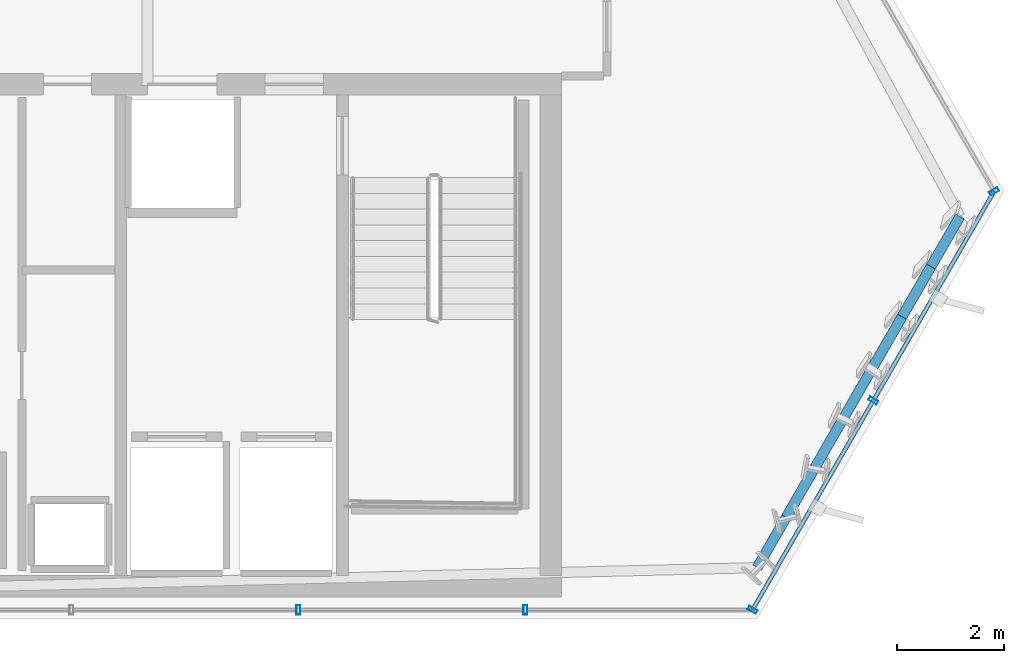
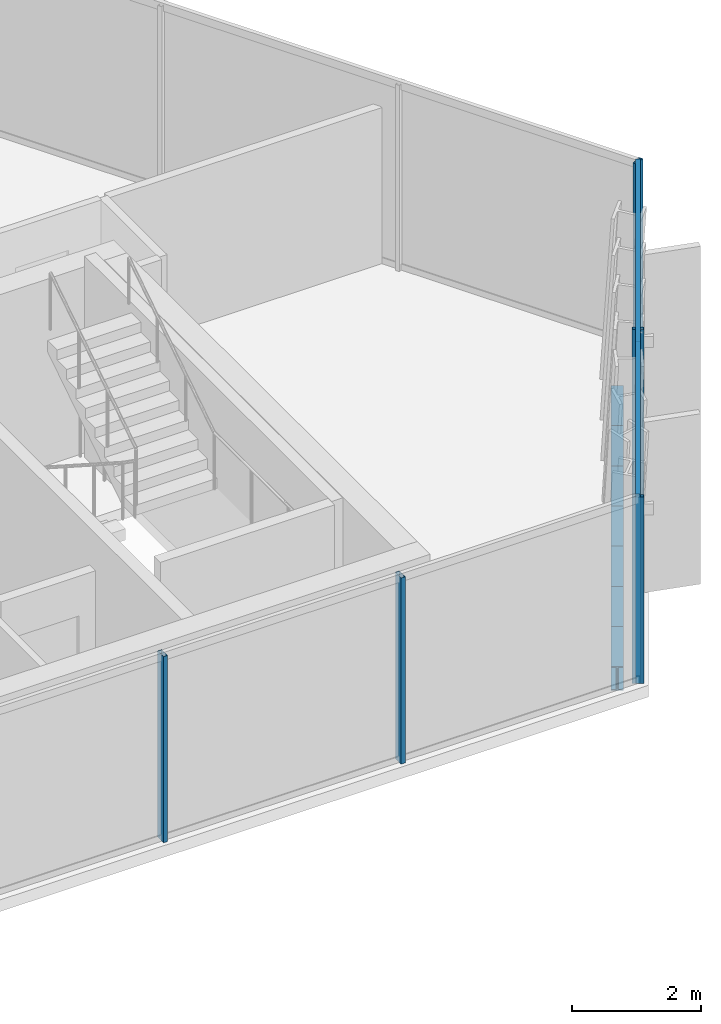
# One storey, part 14 of 34: 7 beams, 7 members, 3 elements without a shape of their own.
"""IFC4 building model written with IfcOpenShell, lengths in metres."""

from ifc_helpers import new_model, si_unit, direction, frame, origin, origin_2d, place, context, subcontext, project, spatial, hollow_rectangle, i_section, extrude, material, layer, layer_set, material_profile, profile_set, type_object, element, aggregate, save


model = new_model("IFC4")

# Units and contexts
model_context = context("Model", 3, precision=1e-05, world=origin(), true_north=direction((0.0, 1.0)))
body_context = subcontext(model_context, "Body", "Model", "MODEL_VIEW")
ifc_project = project(units=[si_unit("LENGTHUNIT", "METRE"), si_unit("AREAUNIT", "SQUARE_METRE"), si_unit("VOLUMEUNIT", "CUBIC_METRE"), si_unit("PLANEANGLEUNIT", "RADIAN"), si_unit("MASSUNIT", "GRAM", prefix="KILO")], contexts=[model_context])

# Site, building, storey
site_placement = place(None, origin())
site = spatial("IfcSite", under=ifc_project, at=site_placement, CompositionType="ELEMENT")
building_placement = place(site_placement, origin())
building = spatial("IfcBuilding", under=site, at=building_placement, Name="Ndaravel Arena Tower", CompositionType="ELEMENT")
storey_placement = place(building_placement, frame((0.0, 0.0, 199.199951171875)))
storey = spatial("IfcBuildingStorey", under=building, at=storey_placement, Name="L48", CompositionType="ELEMENT", Elevation=199.199951171875)

# Beams
ifc_material_1 = material(Name="Steel S355", Category="steel")
ifc_material_profile_1 = material_profile(ifc_material_1, i_section(OverallWidth=0.18994140625, OverallDepth=0.449951171875, WebThickness=0.009521484375, FlangeThickness=0.0146484375, FilletRadius=0.02099609375, at=origin_2d()), Name="IPE 450")
ifc_profile_set_1 = profile_set([ifc_material_profile_1], Name="Steel S355")
beam_type = type_object("IfcBeamType", Name="BM-SPAN-IPE450", PredefinedType="SPANDREL", material=ifc_profile_set_1)
beam_1_placement = place(storey_placement, frame((61.215087890625, 5.94970703125, -0.445068359375), z_axis=(0.499988774596, 0.866031884678, 0.0), x_axis=(-0.866031884678, 0.499988774596, 0.0)))
element("IfcBeam", 1, at=beam_1_placement, inside=storey, type_object=beam_type, Name="L48 Perimeter Spandrel Beam SP-02", PredefinedType="SPANDREL", context=body_context, shape_type="SweptSolid", body=[
    extrude(i_section(OverallWidth=0.18994140625, OverallDepth=0.449951171875, WebThickness=0.009521484375, FlangeThickness=0.0146484375, FilletRadius=0.02099609375, at=origin_2d()), origin(), (0.0, 0.0, 1.0), 1.08447265625),
])
beam_2_placement = place(storey_placement, frame((61.75732421875, 6.888916015625, -0.445068359375), z_axis=(0.50015758769, 0.86593440137, 0.0), x_axis=(-0.86593440137, 0.50015758769, 0.0)))
element("IfcBeam", 2, at=beam_2_placement, inside=storey, type_object=beam_type, Name="L48 Perimeter Spandrel Beam SP-03", PredefinedType="SPANDREL", context=body_context, shape_type="SweptSolid", body=[
    extrude(i_section(OverallWidth=0.18994140625, OverallDepth=0.449951171875, WebThickness=0.009521484375, FlangeThickness=0.0146484375, FilletRadius=0.02099609375, at=origin_2d()), origin(), (0.0, 0.0, 1.0), 1.084716796875),
])
beam_3_placement = place(storey_placement, frame((62.2998046875, 7.828125, -0.445068359375), z_axis=(0.499988774596, 0.866031884678, 0.0), x_axis=(-0.866031884678, 0.499988774596, 0.0)))
element("IfcBeam", 3, at=beam_3_placement, inside=storey, type_object=beam_type, Name="L48 Perimeter Spandrel Beam SP-04", PredefinedType="SPANDREL", context=body_context, shape_type="SweptSolid", body=[
    extrude(i_section(OverallWidth=0.18994140625, OverallDepth=0.449951171875, WebThickness=0.009521484375, FlangeThickness=0.0146484375, FilletRadius=0.02099609375, at=origin_2d()), origin(), (0.0, 0.0, 1.0), 1.08447265625),
])
beam_4_placement = place(storey_placement, frame((62.842041015625, 8.767333984375, -0.445068359375), z_axis=(0.499891312606, 0.866088145388, 0.0), x_axis=(-0.866088145388, 0.499891312606, 0.0)))
element("IfcBeam", 4, at=beam_4_placement, inside=storey, type_object=beam_type, Name="L48 Perimeter Spandrel Beam SP-05", PredefinedType="SPANDREL", context=body_context, shape_type="SweptSolid", body=[
    extrude(i_section(OverallWidth=0.18994140625, OverallDepth=0.449951171875, WebThickness=0.009521484375, FlangeThickness=0.0146484375, FilletRadius=0.02099609375, at=origin_2d()), origin(), (0.0, 0.0, 1.0), 1.084716796875),
])
for number, where, z_axis, x_axis, name in (
    (5, (63.38427734375, 9.706787109375, -0.445068359375), (0.499988774596, 0.866031884678, 0.0), (-0.866031884678, 0.499988774596, 0.0), "L48 Perimeter Spandrel Beam SP-06"),
    (6, (63.926513671875, 10.64599609375, -0.445068359375), (0.499988774596, 0.866031884678, 0.0), (-0.866031884678, 0.499988774596, 0.0), "L48 Perimeter Spandrel Beam SP-07"),
    (7, (64.46875, 11.585205078125, -0.445068359375), (0.499988774596, 0.866031884678, 0.0), (-0.866031884678, 0.499988774596, 0.0), "L48 Perimeter Spandrel Beam SP-08"),
):
    element("IfcBeam", number, at=place(storey_placement, frame(where, z_axis=z_axis, x_axis=x_axis)), inside=storey, type_object=beam_type, Name=name, PredefinedType="SPANDREL", context=body_context, shape_type="SweptSolid", body=[
        extrude(i_section(OverallWidth=0.18994140625, OverallDepth=0.449951171875, WebThickness=0.009521484375, FlangeThickness=0.0146484375, FilletRadius=0.02099609375, at=origin_2d()), origin(), (0.0, 0.0, 1.0), 1.08447265625),
    ])

# Curtain wall, members
ifc_material_2 = material(Name="Aluminium", Category="aluminium")
ifc_layer_1 = layer(ifc_material_2, 0.179931640625)
ifc_layer_set_1 = layer_set([ifc_layer_1], Name="Aluminium")
curtain_wall_type_1 = type_object("IfcCurtainWallType", Name="CW-SYS-03", PredefinedType="NOTDEFINED", material=ifc_layer_set_1)
curtain_wall_1_placement = place(storey_placement, origin())
curtain_wall_1 = element("IfcCurtainWall", 8, at=curtain_wall_1_placement, inside=storey, type_object=curtain_wall_type_1, Name="L48 Faceted Crystal Curtain Wall CW-L48-E01", PredefinedType="NOTDEFINED")
ifc_material_3 = material(Name="Aluminium", Category="aluminium")
ifc_material_profile_2 = material_profile(ifc_material_3, hollow_rectangle(XDim=0.074951171875, YDim=0.179931640625, WallThickness=0.00390625, at=origin_2d()), Name="CW MULLION 75x180x4")
ifc_profile_set_2 = profile_set([ifc_material_profile_2], Name="Aluminium")
member_type_1 = type_object("IfcMemberType", Name="MEM-CW-MUL180", PredefinedType="MULLION", material=ifc_profile_set_2)
member_1_placement = place(storey_placement, frame((52.627197265625, 5.159912109375, 0.0), z_axis=(0.0, 0.0, 1.0), x_axis=(1.0, 0.0, 0.0)))
member_1 = element("IfcMember", 9, at=member_1_placement, type_object=member_type_1, Name="CW-L48-E01 Mullion 07", PredefinedType="MULLION", context=body_context, shape_type="SweptSolid", body=[
    extrude(hollow_rectangle(XDim=0.074951171875, YDim=0.179931640625, WallThickness=0.00390625, at=origin_2d()), origin(), (0.0, 0.0, 1.0), 3.52001953125),
])
member_2_placement = place(storey_placement, frame((56.8779296875, 5.159912109375, 0.0), z_axis=(0.0, 0.0, 1.0), x_axis=(1.0, 0.0, 0.0)))
member_2 = element("IfcMember", 10, at=member_2_placement, type_object=member_type_1, Name="CW-L48-E01 Mullion 08", PredefinedType="MULLION", context=body_context, shape_type="SweptSolid", body=[
    extrude(hollow_rectangle(XDim=0.074951171875, YDim=0.179931640625, WallThickness=0.00390625, at=origin_2d()), origin(), (0.0, 0.0, 1.0), 3.52001953125),
])
aggregate(curtain_wall_1, [member_1, member_2])

ifc_material_4 = material(Name="Aluminium", Category="aluminium")
ifc_layer_2 = layer(ifc_material_4, 0.179931640625)
ifc_layer_set_2 = layer_set([ifc_layer_2], Name="Aluminium")
curtain_wall_type_2 = type_object("IfcCurtainWallType", Name="CW-SYS-01", PredefinedType="NOTDEFINED", material=ifc_layer_set_2)
curtain_wall_2_placement = place(storey_placement, origin())
curtain_wall_2 = element("IfcCurtainWall", 11, at=curtain_wall_2_placement, inside=storey, type_object=curtain_wall_type_2, Name="L48 Faceted Crystal Curtain Wall CW-L48-E02", PredefinedType="NOTDEFINED")
member_3_placement = place(storey_placement, frame((61.128662109375, 5.159912109375, 0.0), z_axis=(0.0, 0.0, 1.0), x_axis=(0.5, 0.866025403784, 0.0)))
member_3 = element("IfcMember", 12, at=member_3_placement, type_object=member_type_1, Name="CW-L48-E02 Mullion 00", PredefinedType="MULLION", context=body_context, shape_type="SweptSolid", body=[
    extrude(hollow_rectangle(XDim=0.074951171875, YDim=0.179931640625, WallThickness=0.00390625, at=origin_2d()), origin(), (0.0, 0.0, 1.0), 3.52001953125),
])
member_4_placement = place(storey_placement, frame((63.39013671875, 9.076904296875, 0.0), z_axis=(0.0, 0.0, 1.0), x_axis=(0.5, 0.866025403784, 0.0)))
member_4 = element("IfcMember", 13, at=member_4_placement, type_object=member_type_1, Name="CW-L48-E02 Mullion 01", PredefinedType="MULLION", context=body_context, shape_type="SweptSolid", body=[
    extrude(hollow_rectangle(XDim=0.074951171875, YDim=0.179931640625, WallThickness=0.00390625, at=origin_2d()), origin(), (0.0, 0.0, 1.0), 3.52001953125),
])

# Curtain wall, member
curtain_wall_3_placement = place(storey_placement, origin())
curtain_wall_3 = element("IfcCurtainWall", 14, at=curtain_wall_3_placement, inside=storey, type_object=curtain_wall_type_1, Name="L48 Faceted Crystal Curtain Wall CW-L48-E03", PredefinedType="NOTDEFINED")
member_5_placement = place(storey_placement, frame((65.651611328125, 12.994140625, 0.0), z_axis=(0.0, 0.0, 1.0), x_axis=(-0.5, 0.866025403784, 0.0)))
member_5 = element("IfcMember", 15, at=member_5_placement, type_object=member_type_1, Name="CW-L48-E03 Mullion 00", PredefinedType="MULLION", context=body_context, shape_type="SweptSolid", body=[
    extrude(hollow_rectangle(XDim=0.074951171875, YDim=0.179931640625, WallThickness=0.00390625, at=origin_2d()), origin(), (0.0, 0.0, 1.0), 3.52001953125),
])
aggregate(curtain_wall_3, [member_5])

# Member
ifc_material_5 = material(Name="Aluminium", Category="aluminium")
ifc_material_profile_3 = material_profile(ifc_material_5, hollow_rectangle(XDim=0.074951171875, YDim=0.14990234375, WallThickness=0.00390625, at=origin_2d()), Name="CW TRANSOM 75x150x4")
ifc_profile_set_3 = profile_set([ifc_material_profile_3], Name="Aluminium")
member_type_2 = type_object("IfcMemberType", Name="MEM-CW-TRN150", PredefinedType="USERDEFINED", material=ifc_profile_set_3)
member_6_placement = place(storey_placement, frame((61.128662109375, 5.159912109375, 0.0400390625), z_axis=(0.49998800113, 0.866032331224, 0.0), x_axis=(-0.866032331224, 0.49998800113, 0.0)))
member_6 = element("IfcMember", 16, at=member_6_placement, type_object=member_type_2, Name="CW-L48-E02 Transom 01", ObjectType="TRANSOM", PredefinedType="USERDEFINED", context=body_context, shape_type="SweptSolid", body=[
    extrude(hollow_rectangle(XDim=0.074951171875, YDim=0.14990234375, WallThickness=0.00390625, at=origin_2d()), origin(), (0.0, 0.0, 1.0), 9.046142578125),
])

member_7_placement = place(storey_placement, frame((61.128662109375, 5.159912109375, 3.47998046875), z_axis=(0.49998800113, 0.866032331224, 0.0), x_axis=(-0.866032331224, 0.49998800113, 0.0)))
member_7 = element("IfcMember", 17, at=member_7_placement, type_object=member_type_2, Name="CW-L48-E02 Transom 02", ObjectType="TRANSOM", PredefinedType="USERDEFINED", context=body_context, shape_type="SweptSolid", body=[
    extrude(hollow_rectangle(XDim=0.074951171875, YDim=0.14990234375, WallThickness=0.00390625, at=origin_2d()), origin(), (0.0, 0.0, 1.0), 9.046142578125),
])

aggregate(curtain_wall_2, [member_3, member_4, member_6, member_7])

save(model, "model.ifc")
